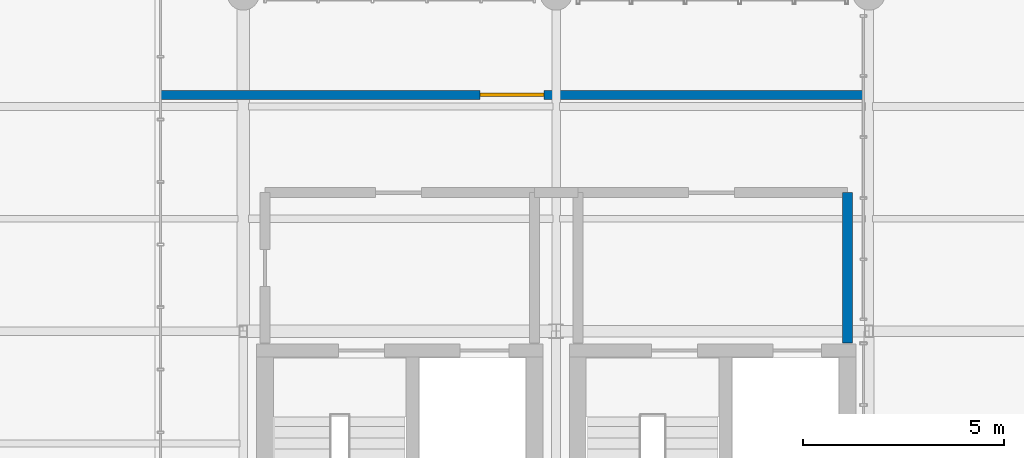
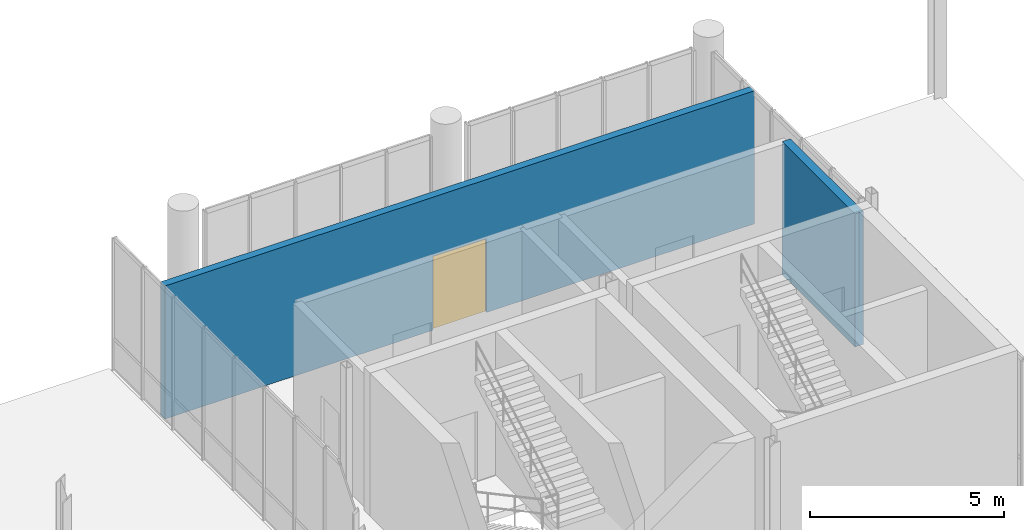
# One storey, part 60 of 68: 2 walls, 1 door, 1 opening.
"""IFC4 building model written with IfcOpenShell, lengths in metres."""

from ifc_helpers import new_model, si_unit, direction, frame, frame_2d, origin_with_axes, place, context, subcontext, project, spatial, rectangle, extrude, material, layer, layer_set, type_object, element, fill, save


model = new_model("IFC4")

# Units and contexts
model_context = context("Model", 3, precision=1e-05, world=origin_with_axes(), true_north=direction((0.0, 1.0)))
body_context = subcontext(model_context, "Body", "Model", "MODEL_VIEW")
ifc_project = project(units=[si_unit("LENGTHUNIT", "METRE"), si_unit("AREAUNIT", "SQUARE_METRE"), si_unit("VOLUMEUNIT", "CUBIC_METRE"), si_unit("PLANEANGLEUNIT", "RADIAN"), si_unit("MASSUNIT", "GRAM", prefix="KILO"), si_unit("THERMODYNAMICTEMPERATUREUNIT", "KELVIN")], contexts=[model_context])

# Site, building, storey
site_placement = place(None, origin_with_axes())
site = spatial("IfcSite", under=ifc_project, at=site_placement, CompositionType="ELEMENT")
building_placement = place(site_placement, origin_with_axes())
building = spatial("IfcBuilding", under=site, at=building_placement, Name="Montbau Bow Law Courts", CompositionType="ELEMENT")
storey_placement = place(building_placement, frame((0.0, 0.0, 20.4), z_axis=(0.0, 0.0, 1.0), x_axis=(1.0, 0.0, 0.0)))
storey = spatial("IfcBuildingStorey", under=building, at=storey_placement, Name="L04", CompositionType="ELEMENT", Elevation=20.4)

# Wall
ifc_material_1 = material(Name="2 h Shaft and Exit-Passage Fire Separation Partition", Category="gypsum")
ifc_layer_1 = layer(ifc_material_1, 0.25, Name="Partition", Category="gypsum")
ifc_layer_set_1 = layer_set([ifc_layer_1], Name="2 h Shaft and Exit-Passage Fire Separation Partition")
wall_type_1 = type_object("IfcWallType", Name="W-PRT-01", PredefinedType="PARTITIONING", material=ifc_layer_set_1)
wall_1_placement = place(None, frame((162.06, 94.5, 20.4), z_axis=(0.0, 0.0, 1.0), x_axis=(0.0, 1.0, 0.0)))
element("IfcWall", 1, at=wall_1_placement, inside=storey, type_object=wall_type_1, Name="WFF-L04-0430:wal_0497", PredefinedType="PARTITIONING", context=body_context, shape_type="SweptSolid", body=[
    extrude(rectangle(XDim=3.75, YDim=0.25, at=frame_2d((1.875, 0.0), x_axis=(1.0, 0.0))), origin_with_axes(), (0.0, 0.0, 1.0), 4.18),
])

# Wall, opening, door
ifc_material_2 = material(Name="STC-60 High-Acoustic Courtroom Perimeter Partition", Category="gypsum")
ifc_layer_2 = layer(ifc_material_2, 0.22, Name="Partition", Category="gypsum")
ifc_layer_set_2 = layer_set([ifc_layer_2], Name="STC-60 High-Acoustic Courtroom Perimeter Partition")
wall_type_2 = type_object("IfcWallType", Name="W-PRT-02", PredefinedType="PARTITIONING", material=ifc_layer_set_2)
wall_2_placement = place(None, frame((144.94, 100.69, 20.4), z_axis=(0.0, 0.0, 1.0), x_axis=(1.0, 0.0, 0.0)))
wall_2 = element("IfcWall", 2, at=wall_2_placement, inside=storey, type_object=wall_type_2, Name="WP-L04-0838:wal_0905", PredefinedType="PARTITIONING", context=body_context, shape_type="SweptSolid", body=[
    extrude(rectangle(XDim=17.52000000000001, YDim=0.22, at=frame_2d((8.76, 0.0), x_axis=(1.0, 0.0))), origin_with_axes(), (0.0, 0.0, 1.0), 4.18),
])
opening_placement = place(None, frame((153.7, 100.69, 20.4), z_axis=(0.0, 0.0, 1.0), x_axis=(1.0, 0.0, 0.0)))
opening = element("IfcOpeningElement", 3, at=opening_placement, cuts=wall_2, Name="OP-D-L04-352", PredefinedType="OPENING", context=body_context, shape_type="SweptSolid", body=[
    extrude(rectangle(XDim=1.6, YDim=2.32, at=frame_2d((0.0, 1.16), x_axis=(1.0, 0.0))), frame((0.0, 0.12, 0.0), z_axis=(0.0, -1.0, 0.0), x_axis=(1.0, 0.0, 0.0)), (0.0, 0.0, 1.0), 0.24),
])
ifc_material_3 = material(Name="Jury Assembly Lounge Glazed Oak Double Door", Category="wood")
door_type = type_object("IfcDoorType", Name="D-JUR-02", OperationType="NOTDEFINED", ParameterTakesPrecedence=False, PredefinedType="DOOR", material=ifc_material_3)
door_placement = place(None, frame((153.7, 100.69, 20.4), z_axis=(0.0, 0.0, 1.0), x_axis=(-1.0, 0.0, 0.0)))
door = element("IfcDoor", 4, at=door_placement, inside=storey, type_object=door_type, Name="D-L04-352:dor_0387", OperationType="DOUBLE_DOOR_SINGLE_SWING", OverallHeight=2.32, OverallWidth=1.6, PredefinedType="DOOR", context=body_context, shape_type="SweptSolid", body=[
    extrude(rectangle(XDim=1.6, YDim=2.32, at=frame_2d((0.0, 1.16), x_axis=(1.0, 0.0))), frame((0.0, 0.04, 0.0), z_axis=(0.0, -1.0, 0.0), x_axis=(1.0, 0.0, 0.0)), (0.0, 0.0, 1.0), 0.08),
])
fill(opening, door)

save(model, "model.ifc")
